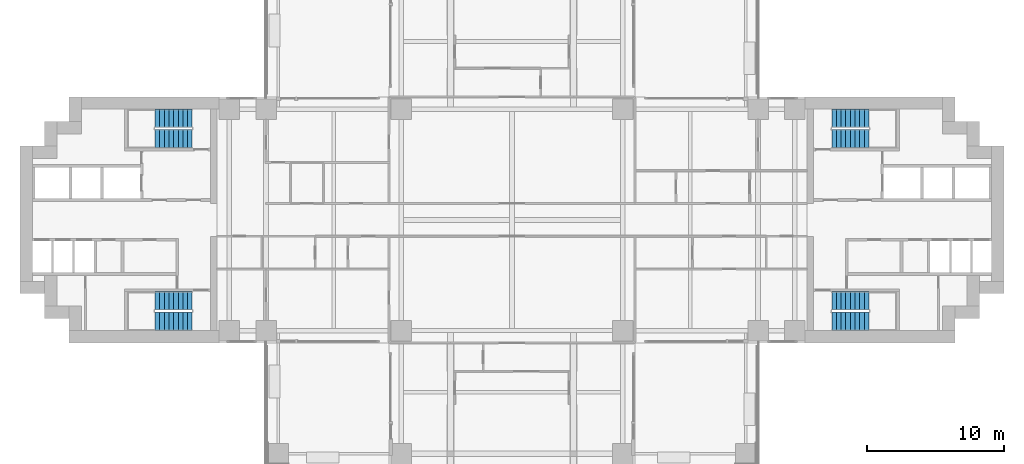
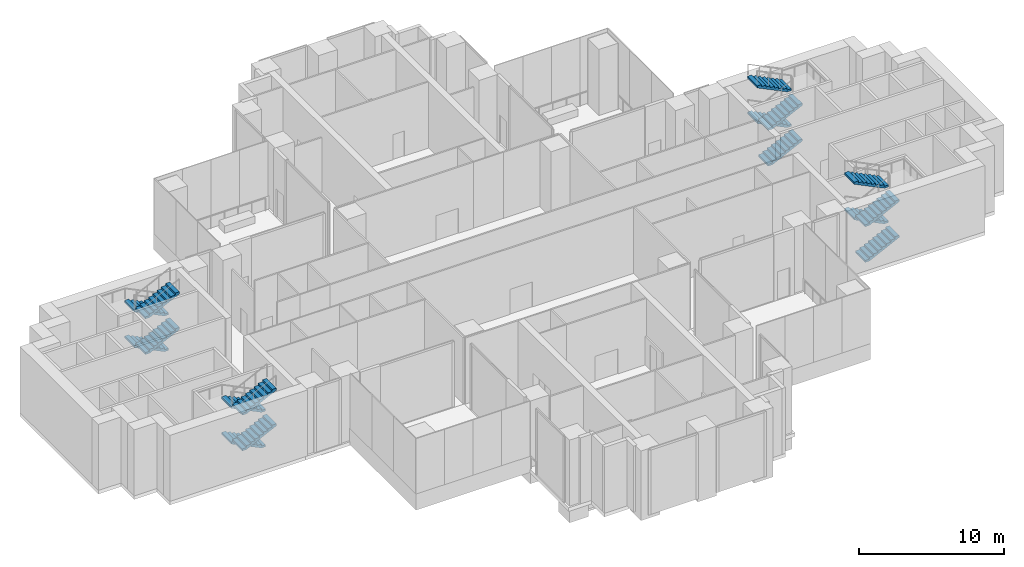
# One storey, part 13 of 17: 16 stair flights, 4 elements without a shape of their own.
"""IFC4 building model written with IfcOpenShell, lengths in metres."""

from ifc_helpers import new_model, si_unit, direction, frame, origin, place, context, subcontext, project, spatial, polyline, outline, extrude, material, type_object, element, aggregate, save


model = new_model("IFC4")

# Units and contexts
model_context = context("Model", 3, precision=1e-05, world=origin(), true_north=direction((0.0, 1.0)))
body_context = subcontext(model_context, "Body", "Model", "MODEL_VIEW")
ifc_project = project(units=[si_unit("LENGTHUNIT", "METRE"), si_unit("AREAUNIT", "SQUARE_METRE"), si_unit("VOLUMEUNIT", "CUBIC_METRE"), si_unit("PLANEANGLEUNIT", "RADIAN"), si_unit("MASSUNIT", "GRAM", prefix="KILO")], contexts=[model_context])

# Site, building, storey
site_placement = place(None, origin())
site = spatial("IfcSite", under=ifc_project, at=site_placement, CompositionType="ELEMENT")
building_placement = place(site_placement, origin())
building = spatial("IfcBuilding", under=site, at=building_placement, Name="Perihelion Cross Residences", CompositionType="ELEMENT")
storey_placement = place(building_placement, frame((0.0, 0.0, 21.0)))
storey = spatial("IfcBuildingStorey", under=building, at=storey_placement, Name="L02", CompositionType="ELEMENT", Elevation=21.0)

# Stair, stair flights
ifc_material_1 = material(Name="Concrete C40/50", Category="concrete")
stair_type = type_object("IfcStairType", Name="Exit stair, half-turn", PredefinedType="HALF_TURN_STAIR", material=ifc_material_1)
stair_1_placement = place(storey_placement, origin())
stair_1 = element("IfcStair", 1, at=stair_1_placement, inside=storey, type_object=stair_type, Name="L02 East core exit stair 1", PredefinedType="HALF_TURN_STAIR")
ifc_material_2 = material(Name="Concrete C40/50", Category="concrete")
stair_flight_type = type_object("IfcStairFlightType", Name="Exit stair flight", PredefinedType="STRAIGHT", material=ifc_material_2)
stair_flight_1_placement = place(storey_placement, frame((23.39990234375, 5.925048828125, 0.0), z_axis=(0.0, 0.0, 1.0), x_axis=(1.0, 0.0, 0.0)))
stair_flight_1 = element("IfcStairFlight", 2, at=stair_flight_1_placement, type_object=stair_flight_type, Name="ST-E1 flight 1", NumberOfRisers=9, NumberOfTreads=8, PredefinedType="STRAIGHT", RiserHeight=0.166666667, TreadLength=0.34, context=body_context, shape_type="SweptSolid", body=[
    extrude(outline(polyline([(0.0, 0.0), (0.0, 0.166748046875), (0.340087890625, 0.166748046875), (0.340087890625, 0.333251953125), (0.679931640625, 0.333251953125), (0.679931640625, 0.5), (1.02001953125, 0.5), (1.02001953125, 0.666748046875), (1.360107421875, 0.666748046875), (1.360107421875, 0.833251953125), (1.699951171875, 0.833251953125), (1.699951171875, 1.0), (2.0400390625, 1.0), (2.0400390625, 1.166748046875), (2.3798828125, 1.166748046875), (2.3798828125, 1.333251953125), (2.719970703125, 1.333251953125), (2.719970703125, 1.5), (2.719970703125, 1.16650390625), (0.340576171875, 0.0), (0.0, 0.0)])), frame((0.0, 0.675048828125, 0.0), z_axis=(0.0, -1.0, 0.0), x_axis=(1.0, 0.0, 0.0)), (0.0, 0.0, 1.0), 1.35009765625),
])
stair_flight_2_placement = place(storey_placement, frame((26.1201171875, 7.425048828125, 1.5), z_axis=(0.0, 0.0, 1.0), x_axis=(-1.0, 0.0, 0.0)))
stair_flight_2 = element("IfcStairFlight", 3, at=stair_flight_2_placement, type_object=stair_flight_type, Name="ST-E1 flight 2", NumberOfRisers=9, NumberOfTreads=8, PredefinedType="STRAIGHT", RiserHeight=0.166666667, TreadLength=0.34, context=body_context, shape_type="SweptSolid", body=[
    extrude(outline(polyline([(0.0, 0.0), (0.0, 0.166748046875), (0.340087890625, 0.166748046875), (0.340087890625, 0.333251953125), (0.679931640625, 0.333251953125), (0.679931640625, 0.5), (1.02001953125, 0.5), (1.02001953125, 0.666748046875), (1.360107421875, 0.666748046875), (1.360107421875, 0.833251953125), (1.699951171875, 0.833251953125), (1.699951171875, 1.0), (2.0400390625, 1.0), (2.0400390625, 1.166748046875), (2.3798828125, 1.166748046875), (2.3798828125, 1.333251953125), (2.719970703125, 1.333251953125), (2.719970703125, 1.5), (2.719970703125, 1.16650390625), (0.340576171875, 0.0), (0.0, 0.0)])), frame((0.0, 0.675048828125, 0.0), z_axis=(0.0, -1.0, 0.0), x_axis=(1.0, 0.0, 0.0)), (0.0, 0.0, 1.0), 1.35009765625),
])
stair_flight_3_placement = place(storey_placement, frame((23.39990234375, 5.925048828125, 3.0), z_axis=(0.0, 0.0, 1.0), x_axis=(1.0, 0.0, 0.0)))
stair_flight_3 = element("IfcStairFlight", 4, at=stair_flight_3_placement, type_object=stair_flight_type, Name="ST-E1 flight 3", NumberOfRisers=9, NumberOfTreads=8, PredefinedType="STRAIGHT", RiserHeight=0.166666667, TreadLength=0.34, context=body_context, shape_type="SweptSolid", body=[
    extrude(outline(polyline([(0.0, 0.0), (0.0, 0.166748046875), (0.340087890625, 0.166748046875), (0.340087890625, 0.333251953125), (0.679931640625, 0.333251953125), (0.679931640625, 0.5), (1.02001953125, 0.5), (1.02001953125, 0.666748046875), (1.360107421875, 0.666748046875), (1.360107421875, 0.833251953125), (1.699951171875, 0.833251953125), (1.699951171875, 1.0), (2.0400390625, 1.0), (2.0400390625, 1.166748046875), (2.3798828125, 1.166748046875), (2.3798828125, 1.333251953125), (2.719970703125, 1.333251953125), (2.719970703125, 1.5), (2.719970703125, 1.16650390625), (0.340576171875, 0.0), (0.0, 0.0)])), frame((0.0, 0.675048828125, 0.0), z_axis=(0.0, -1.0, 0.0), x_axis=(1.0, 0.0, 0.0)), (0.0, 0.0, 1.0), 1.35009765625),
])
stair_flight_4_placement = place(storey_placement, frame((26.1201171875, 7.425048828125, 4.5), z_axis=(0.0, 0.0, 1.0), x_axis=(-1.0, 0.0, 0.0)))
stair_flight_4 = element("IfcStairFlight", 5, at=stair_flight_4_placement, type_object=stair_flight_type, Name="ST-E1 flight 4", NumberOfRisers=9, NumberOfTreads=8, PredefinedType="STRAIGHT", RiserHeight=0.166666667, TreadLength=0.34, context=body_context, shape_type="SweptSolid", body=[
    extrude(outline(polyline([(0.0, 0.0), (0.0, 0.166748046875), (0.340087890625, 0.166748046875), (0.340087890625, 0.333251953125), (0.679931640625, 0.333251953125), (0.679931640625, 0.5), (1.02001953125, 0.5), (1.02001953125, 0.666748046875), (1.360107421875, 0.666748046875), (1.360107421875, 0.833251953125), (1.699951171875, 0.833251953125), (1.699951171875, 1.0), (2.0400390625, 1.0), (2.0400390625, 1.166748046875), (2.3798828125, 1.166748046875), (2.3798828125, 1.333251953125), (2.719970703125, 1.333251953125), (2.719970703125, 1.5), (2.719970703125, 1.16650390625), (0.340576171875, 0.0), (0.0, 0.0)])), frame((0.0, 0.675048828125, 0.0), z_axis=(0.0, -1.0, 0.0), x_axis=(1.0, 0.0, 0.0)), (0.0, 0.0, 1.0), 1.35009765625),
])
aggregate(stair_1, [stair_flight_1, stair_flight_2, stair_flight_3, stair_flight_4])

stair_2_placement = place(storey_placement, origin())
stair_2 = element("IfcStair", 6, at=stair_2_placement, inside=storey, type_object=stair_type, Name="L02 East core exit stair 2", PredefinedType="HALF_TURN_STAIR")
stair_flight_5_placement = place(storey_placement, frame((23.39990234375, -7.425048828125, 0.0), z_axis=(0.0, 0.0, 1.0), x_axis=(1.0, 0.0, 0.0)))
stair_flight_5 = element("IfcStairFlight", 7, at=stair_flight_5_placement, type_object=stair_flight_type, Name="ST-E2 flight 1", NumberOfRisers=9, NumberOfTreads=8, PredefinedType="STRAIGHT", RiserHeight=0.166666667, TreadLength=0.34, context=body_context, shape_type="SweptSolid", body=[
    extrude(outline(polyline([(0.0, 0.0), (0.0, 0.166748046875), (0.340087890625, 0.166748046875), (0.340087890625, 0.333251953125), (0.679931640625, 0.333251953125), (0.679931640625, 0.5), (1.02001953125, 0.5), (1.02001953125, 0.666748046875), (1.360107421875, 0.666748046875), (1.360107421875, 0.833251953125), (1.699951171875, 0.833251953125), (1.699951171875, 1.0), (2.0400390625, 1.0), (2.0400390625, 1.166748046875), (2.3798828125, 1.166748046875), (2.3798828125, 1.333251953125), (2.719970703125, 1.333251953125), (2.719970703125, 1.5), (2.719970703125, 1.16650390625), (0.340576171875, 0.0), (0.0, 0.0)])), frame((0.0, 0.675048828125, 0.0), z_axis=(0.0, -1.0, 0.0), x_axis=(1.0, 0.0, 0.0)), (0.0, 0.0, 1.0), 1.35009765625),
])
stair_flight_6_placement = place(storey_placement, frame((26.1201171875, -5.925048828125, 1.5), z_axis=(0.0, 0.0, 1.0), x_axis=(-1.0, 0.0, 0.0)))
stair_flight_6 = element("IfcStairFlight", 8, at=stair_flight_6_placement, type_object=stair_flight_type, Name="ST-E2 flight 2", NumberOfRisers=9, NumberOfTreads=8, PredefinedType="STRAIGHT", RiserHeight=0.166666667, TreadLength=0.34, context=body_context, shape_type="SweptSolid", body=[
    extrude(outline(polyline([(0.0, 0.0), (0.0, 0.166748046875), (0.340087890625, 0.166748046875), (0.340087890625, 0.333251953125), (0.679931640625, 0.333251953125), (0.679931640625, 0.5), (1.02001953125, 0.5), (1.02001953125, 0.666748046875), (1.360107421875, 0.666748046875), (1.360107421875, 0.833251953125), (1.699951171875, 0.833251953125), (1.699951171875, 1.0), (2.0400390625, 1.0), (2.0400390625, 1.166748046875), (2.3798828125, 1.166748046875), (2.3798828125, 1.333251953125), (2.719970703125, 1.333251953125), (2.719970703125, 1.5), (2.719970703125, 1.16650390625), (0.340576171875, 0.0), (0.0, 0.0)])), frame((0.0, 0.675048828125, 0.0), z_axis=(0.0, -1.0, 0.0), x_axis=(1.0, 0.0, 0.0)), (0.0, 0.0, 1.0), 1.35009765625),
])
stair_flight_7_placement = place(storey_placement, frame((23.39990234375, -7.425048828125, 3.0), z_axis=(0.0, 0.0, 1.0), x_axis=(1.0, 0.0, 0.0)))
stair_flight_7 = element("IfcStairFlight", 9, at=stair_flight_7_placement, type_object=stair_flight_type, Name="ST-E2 flight 3", NumberOfRisers=9, NumberOfTreads=8, PredefinedType="STRAIGHT", RiserHeight=0.166666667, TreadLength=0.34, context=body_context, shape_type="SweptSolid", body=[
    extrude(outline(polyline([(0.0, 0.0), (0.0, 0.166748046875), (0.340087890625, 0.166748046875), (0.340087890625, 0.333251953125), (0.679931640625, 0.333251953125), (0.679931640625, 0.5), (1.02001953125, 0.5), (1.02001953125, 0.666748046875), (1.360107421875, 0.666748046875), (1.360107421875, 0.833251953125), (1.699951171875, 0.833251953125), (1.699951171875, 1.0), (2.0400390625, 1.0), (2.0400390625, 1.166748046875), (2.3798828125, 1.166748046875), (2.3798828125, 1.333251953125), (2.719970703125, 1.333251953125), (2.719970703125, 1.5), (2.719970703125, 1.16650390625), (0.340576171875, 0.0), (0.0, 0.0)])), frame((0.0, 0.675048828125, 0.0), z_axis=(0.0, -1.0, 0.0), x_axis=(1.0, 0.0, 0.0)), (0.0, 0.0, 1.0), 1.35009765625),
])
stair_flight_8_placement = place(storey_placement, frame((26.1201171875, -5.925048828125, 4.5), z_axis=(0.0, 0.0, 1.0), x_axis=(-1.0, 0.0, 0.0)))
stair_flight_8 = element("IfcStairFlight", 10, at=stair_flight_8_placement, type_object=stair_flight_type, Name="ST-E2 flight 4", NumberOfRisers=9, NumberOfTreads=8, PredefinedType="STRAIGHT", RiserHeight=0.166666667, TreadLength=0.34, context=body_context, shape_type="SweptSolid", body=[
    extrude(outline(polyline([(0.0, 0.0), (0.0, 0.166748046875), (0.340087890625, 0.166748046875), (0.340087890625, 0.333251953125), (0.679931640625, 0.333251953125), (0.679931640625, 0.5), (1.02001953125, 0.5), (1.02001953125, 0.666748046875), (1.360107421875, 0.666748046875), (1.360107421875, 0.833251953125), (1.699951171875, 0.833251953125), (1.699951171875, 1.0), (2.0400390625, 1.0), (2.0400390625, 1.166748046875), (2.3798828125, 1.166748046875), (2.3798828125, 1.333251953125), (2.719970703125, 1.333251953125), (2.719970703125, 1.5), (2.719970703125, 1.16650390625), (0.340576171875, 0.0), (0.0, 0.0)])), frame((0.0, 0.675048828125, 0.0), z_axis=(0.0, -1.0, 0.0), x_axis=(1.0, 0.0, 0.0)), (0.0, 0.0, 1.0), 1.35009765625),
])
aggregate(stair_2, [stair_flight_5, stair_flight_6, stair_flight_7, stair_flight_8])

stair_3_placement = place(storey_placement, origin())
stair_3 = element("IfcStair", 11, at=stair_3_placement, inside=storey, type_object=stair_type, Name="L02 West core exit stair 1", PredefinedType="HALF_TURN_STAIR")
stair_flight_9_placement = place(storey_placement, frame((-23.39990234375, 7.425048828125, 0.0), z_axis=(0.0, 0.0, 1.0), x_axis=(-1.0, 0.0, 0.0)))
stair_flight_9 = element("IfcStairFlight", 12, at=stair_flight_9_placement, type_object=stair_flight_type, Name="ST-W1 flight 1", NumberOfRisers=9, NumberOfTreads=8, PredefinedType="STRAIGHT", RiserHeight=0.166666667, TreadLength=0.34, context=body_context, shape_type="SweptSolid", body=[
    extrude(outline(polyline([(0.0, 0.0), (0.0, 0.166748046875), (0.340087890625, 0.166748046875), (0.340087890625, 0.333251953125), (0.679931640625, 0.333251953125), (0.679931640625, 0.5), (1.02001953125, 0.5), (1.02001953125, 0.666748046875), (1.360107421875, 0.666748046875), (1.360107421875, 0.833251953125), (1.699951171875, 0.833251953125), (1.699951171875, 1.0), (2.0400390625, 1.0), (2.0400390625, 1.166748046875), (2.3798828125, 1.166748046875), (2.3798828125, 1.333251953125), (2.719970703125, 1.333251953125), (2.719970703125, 1.5), (2.719970703125, 1.16650390625), (0.340576171875, 0.0), (0.0, 0.0)])), frame((0.0, 0.675048828125, 0.0), z_axis=(0.0, -1.0, 0.0), x_axis=(1.0, 0.0, 0.0)), (0.0, 0.0, 1.0), 1.35009765625),
])
stair_flight_10_placement = place(storey_placement, frame((-26.1201171875, 5.925048828125, 1.5), z_axis=(0.0, 0.0, 1.0), x_axis=(1.0, 0.0, 0.0)))
stair_flight_10 = element("IfcStairFlight", 13, at=stair_flight_10_placement, type_object=stair_flight_type, Name="ST-W1 flight 2", NumberOfRisers=9, NumberOfTreads=8, PredefinedType="STRAIGHT", RiserHeight=0.166666667, TreadLength=0.34, context=body_context, shape_type="SweptSolid", body=[
    extrude(outline(polyline([(0.0, 0.0), (0.0, 0.166748046875), (0.340087890625, 0.166748046875), (0.340087890625, 0.333251953125), (0.679931640625, 0.333251953125), (0.679931640625, 0.5), (1.02001953125, 0.5), (1.02001953125, 0.666748046875), (1.360107421875, 0.666748046875), (1.360107421875, 0.833251953125), (1.699951171875, 0.833251953125), (1.699951171875, 1.0), (2.0400390625, 1.0), (2.0400390625, 1.166748046875), (2.3798828125, 1.166748046875), (2.3798828125, 1.333251953125), (2.719970703125, 1.333251953125), (2.719970703125, 1.5), (2.719970703125, 1.16650390625), (0.340576171875, 0.0), (0.0, 0.0)])), frame((0.0, 0.675048828125, 0.0), z_axis=(0.0, -1.0, 0.0), x_axis=(1.0, 0.0, 0.0)), (0.0, 0.0, 1.0), 1.35009765625),
])
stair_flight_11_placement = place(storey_placement, frame((-23.39990234375, 7.425048828125, 3.0), z_axis=(0.0, 0.0, 1.0), x_axis=(-1.0, 0.0, 0.0)))
stair_flight_11 = element("IfcStairFlight", 14, at=stair_flight_11_placement, type_object=stair_flight_type, Name="ST-W1 flight 3", NumberOfRisers=9, NumberOfTreads=8, PredefinedType="STRAIGHT", RiserHeight=0.166666667, TreadLength=0.34, context=body_context, shape_type="SweptSolid", body=[
    extrude(outline(polyline([(0.0, 0.0), (0.0, 0.166748046875), (0.340087890625, 0.166748046875), (0.340087890625, 0.333251953125), (0.679931640625, 0.333251953125), (0.679931640625, 0.5), (1.02001953125, 0.5), (1.02001953125, 0.666748046875), (1.360107421875, 0.666748046875), (1.360107421875, 0.833251953125), (1.699951171875, 0.833251953125), (1.699951171875, 1.0), (2.0400390625, 1.0), (2.0400390625, 1.166748046875), (2.3798828125, 1.166748046875), (2.3798828125, 1.333251953125), (2.719970703125, 1.333251953125), (2.719970703125, 1.5), (2.719970703125, 1.16650390625), (0.340576171875, 0.0), (0.0, 0.0)])), frame((0.0, 0.675048828125, 0.0), z_axis=(0.0, -1.0, 0.0), x_axis=(1.0, 0.0, 0.0)), (0.0, 0.0, 1.0), 1.35009765625),
])
stair_flight_12_placement = place(storey_placement, frame((-26.1201171875, 5.925048828125, 4.5), z_axis=(0.0, 0.0, 1.0), x_axis=(1.0, 0.0, 0.0)))
stair_flight_12 = element("IfcStairFlight", 15, at=stair_flight_12_placement, type_object=stair_flight_type, Name="ST-W1 flight 4", NumberOfRisers=9, NumberOfTreads=8, PredefinedType="STRAIGHT", RiserHeight=0.166666667, TreadLength=0.34, context=body_context, shape_type="SweptSolid", body=[
    extrude(outline(polyline([(0.0, 0.0), (0.0, 0.166748046875), (0.340087890625, 0.166748046875), (0.340087890625, 0.333251953125), (0.679931640625, 0.333251953125), (0.679931640625, 0.5), (1.02001953125, 0.5), (1.02001953125, 0.666748046875), (1.360107421875, 0.666748046875), (1.360107421875, 0.833251953125), (1.699951171875, 0.833251953125), (1.699951171875, 1.0), (2.0400390625, 1.0), (2.0400390625, 1.166748046875), (2.3798828125, 1.166748046875), (2.3798828125, 1.333251953125), (2.719970703125, 1.333251953125), (2.719970703125, 1.5), (2.719970703125, 1.16650390625), (0.340576171875, 0.0), (0.0, 0.0)])), frame((0.0, 0.675048828125, 0.0), z_axis=(0.0, -1.0, 0.0), x_axis=(1.0, 0.0, 0.0)), (0.0, 0.0, 1.0), 1.35009765625),
])
aggregate(stair_3, [stair_flight_9, stair_flight_10, stair_flight_11, stair_flight_12])

stair_4_placement = place(storey_placement, origin())
stair_4 = element("IfcStair", 16, at=stair_4_placement, inside=storey, type_object=stair_type, Name="L02 West core exit stair 2", PredefinedType="HALF_TURN_STAIR")
stair_flight_13_placement = place(storey_placement, frame((-23.39990234375, -5.925048828125, 0.0), z_axis=(0.0, 0.0, 1.0), x_axis=(-1.0, 0.0, 0.0)))
stair_flight_13 = element("IfcStairFlight", 17, at=stair_flight_13_placement, type_object=stair_flight_type, Name="ST-W2 flight 1", NumberOfRisers=9, NumberOfTreads=8, PredefinedType="STRAIGHT", RiserHeight=0.166666667, TreadLength=0.34, context=body_context, shape_type="SweptSolid", body=[
    extrude(outline(polyline([(0.0, 0.0), (0.0, 0.166748046875), (0.340087890625, 0.166748046875), (0.340087890625, 0.333251953125), (0.679931640625, 0.333251953125), (0.679931640625, 0.5), (1.02001953125, 0.5), (1.02001953125, 0.666748046875), (1.360107421875, 0.666748046875), (1.360107421875, 0.833251953125), (1.699951171875, 0.833251953125), (1.699951171875, 1.0), (2.0400390625, 1.0), (2.0400390625, 1.166748046875), (2.3798828125, 1.166748046875), (2.3798828125, 1.333251953125), (2.719970703125, 1.333251953125), (2.719970703125, 1.5), (2.719970703125, 1.16650390625), (0.340576171875, 0.0), (0.0, 0.0)])), frame((0.0, 0.675048828125, 0.0), z_axis=(0.0, -1.0, 0.0), x_axis=(1.0, 0.0, 0.0)), (0.0, 0.0, 1.0), 1.35009765625),
])
stair_flight_14_placement = place(storey_placement, frame((-26.1201171875, -7.425048828125, 1.5), z_axis=(0.0, 0.0, 1.0), x_axis=(1.0, 0.0, 0.0)))
stair_flight_14 = element("IfcStairFlight", 18, at=stair_flight_14_placement, type_object=stair_flight_type, Name="ST-W2 flight 2", NumberOfRisers=9, NumberOfTreads=8, PredefinedType="STRAIGHT", RiserHeight=0.166666667, TreadLength=0.34, context=body_context, shape_type="SweptSolid", body=[
    extrude(outline(polyline([(0.0, 0.0), (0.0, 0.166748046875), (0.340087890625, 0.166748046875), (0.340087890625, 0.333251953125), (0.679931640625, 0.333251953125), (0.679931640625, 0.5), (1.02001953125, 0.5), (1.02001953125, 0.666748046875), (1.360107421875, 0.666748046875), (1.360107421875, 0.833251953125), (1.699951171875, 0.833251953125), (1.699951171875, 1.0), (2.0400390625, 1.0), (2.0400390625, 1.166748046875), (2.3798828125, 1.166748046875), (2.3798828125, 1.333251953125), (2.719970703125, 1.333251953125), (2.719970703125, 1.5), (2.719970703125, 1.16650390625), (0.340576171875, 0.0), (0.0, 0.0)])), frame((0.0, 0.675048828125, 0.0), z_axis=(0.0, -1.0, 0.0), x_axis=(1.0, 0.0, 0.0)), (0.0, 0.0, 1.0), 1.35009765625),
])
stair_flight_15_placement = place(storey_placement, frame((-23.39990234375, -5.925048828125, 3.0), z_axis=(0.0, 0.0, 1.0), x_axis=(-1.0, 0.0, 0.0)))
stair_flight_15 = element("IfcStairFlight", 19, at=stair_flight_15_placement, type_object=stair_flight_type, Name="ST-W2 flight 3", NumberOfRisers=9, NumberOfTreads=8, PredefinedType="STRAIGHT", RiserHeight=0.166666667, TreadLength=0.34, context=body_context, shape_type="SweptSolid", body=[
    extrude(outline(polyline([(0.0, 0.0), (0.0, 0.166748046875), (0.340087890625, 0.166748046875), (0.340087890625, 0.333251953125), (0.679931640625, 0.333251953125), (0.679931640625, 0.5), (1.02001953125, 0.5), (1.02001953125, 0.666748046875), (1.360107421875, 0.666748046875), (1.360107421875, 0.833251953125), (1.699951171875, 0.833251953125), (1.699951171875, 1.0), (2.0400390625, 1.0), (2.0400390625, 1.166748046875), (2.3798828125, 1.166748046875), (2.3798828125, 1.333251953125), (2.719970703125, 1.333251953125), (2.719970703125, 1.5), (2.719970703125, 1.16650390625), (0.340576171875, 0.0), (0.0, 0.0)])), frame((0.0, 0.675048828125, 0.0), z_axis=(0.0, -1.0, 0.0), x_axis=(1.0, 0.0, 0.0)), (0.0, 0.0, 1.0), 1.35009765625),
])
stair_flight_16_placement = place(storey_placement, frame((-26.1201171875, -7.425048828125, 4.5), z_axis=(0.0, 0.0, 1.0), x_axis=(1.0, 0.0, 0.0)))
stair_flight_16 = element("IfcStairFlight", 20, at=stair_flight_16_placement, type_object=stair_flight_type, Name="ST-W2 flight 4", NumberOfRisers=9, NumberOfTreads=8, PredefinedType="STRAIGHT", RiserHeight=0.166666667, TreadLength=0.34, context=body_context, shape_type="SweptSolid", body=[
    extrude(outline(polyline([(0.0, 0.0), (0.0, 0.166748046875), (0.340087890625, 0.166748046875), (0.340087890625, 0.333251953125), (0.679931640625, 0.333251953125), (0.679931640625, 0.5), (1.02001953125, 0.5), (1.02001953125, 0.666748046875), (1.360107421875, 0.666748046875), (1.360107421875, 0.833251953125), (1.699951171875, 0.833251953125), (1.699951171875, 1.0), (2.0400390625, 1.0), (2.0400390625, 1.166748046875), (2.3798828125, 1.166748046875), (2.3798828125, 1.333251953125), (2.719970703125, 1.333251953125), (2.719970703125, 1.5), (2.719970703125, 1.16650390625), (0.340576171875, 0.0), (0.0, 0.0)])), frame((0.0, 0.675048828125, 0.0), z_axis=(0.0, -1.0, 0.0), x_axis=(1.0, 0.0, 0.0)), (0.0, 0.0, 1.0), 1.35009765625),
])
aggregate(stair_4, [stair_flight_13, stair_flight_14, stair_flight_15, stair_flight_16])

save(model, "model.ifc")
